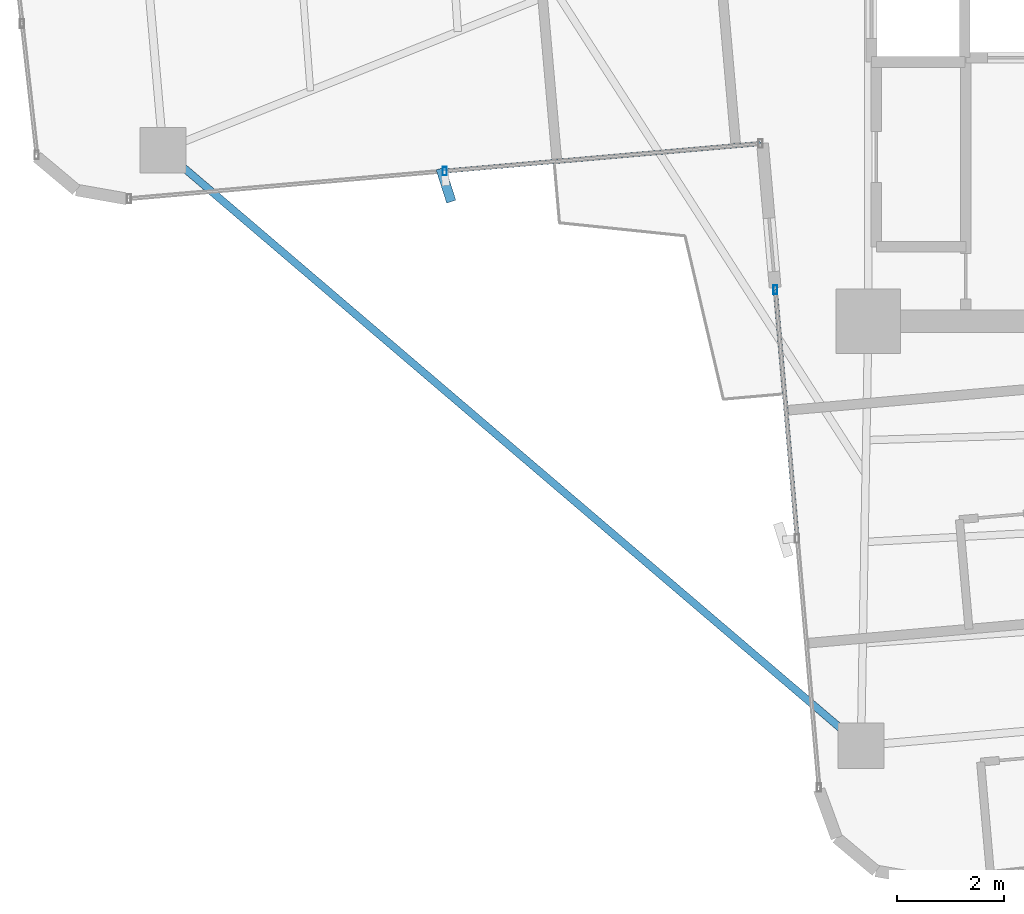
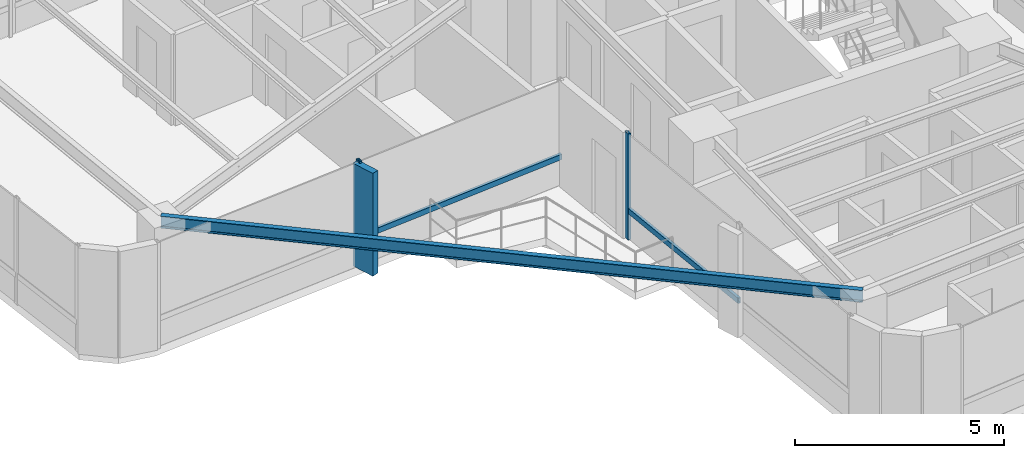
# One storey, part 4 of 24: 5 members, 1 beam, 2 elements without a shape of their own.
"""IFC4 building model written with IfcOpenShell, lengths in metres."""

from ifc_helpers import new_model, si_unit, direction, frame, origin, origin_2d, place, context, subcontext, project, spatial, rectangle, hollow_rectangle, i_section, extrude, source, transform, mapped, material, material_profile, profile_set, type_object, element, aggregate, save


model = new_model("IFC4")

# Units and contexts
model_context = context("Model", 3, precision=1e-05, world=origin(), true_north=direction((0.0, 1.0)))
body_context = subcontext(model_context, "Body", "Model", "MODEL_VIEW")
ifc_project = project(units=[si_unit("LENGTHUNIT", "METRE"), si_unit("AREAUNIT", "SQUARE_METRE"), si_unit("VOLUMEUNIT", "CUBIC_METRE"), si_unit("PLANEANGLEUNIT", "RADIAN"), si_unit("MASSUNIT", "GRAM", prefix="KILO")], contexts=[model_context])

# Site, building, storey
site_placement = place(None, origin())
site = spatial("IfcSite", under=ifc_project, at=site_placement, CompositionType="ELEMENT")
building_placement = place(site_placement, origin())
building = spatial("IfcBuilding", under=site, at=building_placement, Name="Sahyath Konkavel Grand Hotel", CompositionType="ELEMENT")
storey_placement = place(building_placement, frame((0.0, 0.0, 157.300048828125)))
storey = spatial("IfcBuildingStorey", under=building, at=storey_placement, Name="L43", CompositionType="ELEMENT", Elevation=157.300048828125)

# Beam
ifc_material_1 = material(Name="Steel E350", Category="steel")
ifc_material_profile_1 = material_profile(ifc_material_1, i_section(OverallWidth=0.139892578125, OverallDepth=0.35009765625, WebThickness=0.008056640625, FlangeThickness=0.01416015625, FilletRadius=0.013916015625, at=origin_2d()), Name="ISMB 350")
ifc_profile_set_1 = profile_set([ifc_material_profile_1], Name="Steel E350")
beam_type = type_object("IfcBeamType", Name="BM-ISMB350", PredefinedType="BEAM", material=ifc_profile_set_1)
shared_shape_1 = source(origin(), body_context, "Body", "SweptSolid", [
    extrude(i_section(OverallWidth=0.139892578125, OverallDepth=0.35009765625, WebThickness=0.008056640625, FlangeThickness=0.01416015625, FilletRadius=0.013916015625, at=origin_2d()), origin(), (0.0, 0.0, 1.0), 17.11279296875),
])
beam_placement = place(storey_placement, frame((-16.9541015625, -7.00439453125, 2.93505859375), z_axis=(0.760711911164, -0.649089661151, 0.0), x_axis=(0.649089661151, 0.760711911164, 0.0)))
element("IfcBeam", 1, at=beam_placement, inside=storey, type_object=beam_type, Name="L43 Re-Entrant Tie Beam SW", PredefinedType="BEAM", context=body_context, shape_type="MappedRepresentation", body=[
    mapped(shared_shape_1, transform((0.0, 0.0, 0.0), scale=1.0)),
])

# Curtain wall, member
ifc_material_2 = material(Name="Anodised Bronze Aluminium & Low-E Glazing", Category="aluminium")
curtain_wall_type = type_object("IfcCurtainWallType", Name="CW-ZONE3", PredefinedType="NOTDEFINED", material=ifc_material_2)
curtain_wall_1_placement = place(storey_placement, origin())
curtain_wall_1 = element("IfcCurtainWall", 2, at=curtain_wall_1_placement, inside=storey, type_object=curtain_wall_type, Name="L43 Unitised Curtain Wall F23", PredefinedType="NOTDEFINED")
ifc_material_3 = material(Name="Anodised Bronze Aluminium", Category="aluminium")
ifc_material_profile_2 = material_profile(ifc_material_3, hollow_rectangle(XDim=0.080078125, YDim=0.159912109375, WallThickness=0.006103515625, at=origin_2d()), Name="RHS 160x80x6")
ifc_profile_set_2 = profile_set([ifc_material_profile_2], Name="Anodised Bronze Aluminium")
member_type_1 = type_object("IfcMemberType", Name="CW-MUL-160", PredefinedType="MULLION", material=ifc_profile_set_2)
shared_shape_2 = source(origin(), body_context, "Body", "SweptSolid", [
    extrude(hollow_rectangle(XDim=0.080078125, YDim=0.159912109375, WallThickness=0.006103515625, at=origin_2d()), origin(), (0.0, 0.0, 1.0), 3.10986328125),
])
member_1_placement = place(storey_placement, frame((-11.69970703125, -7.39794921875, 0.0), z_axis=(0.0, 0.0, 1.0), x_axis=(1.0, 0.0, 0.0)))
member_1 = element("IfcMember", 3, at=member_1_placement, type_object=member_type_1, Name="L43 Curtain Wall Mullion F23-1", PredefinedType="MULLION", context=body_context, shape_type="MappedRepresentation", body=[
    mapped(shared_shape_2, transform((0.0, 0.0, 0.0), scale=1.0)),
])

curtain_wall_2_placement = place(storey_placement, origin())
curtain_wall_2 = element("IfcCurtainWall", 4, at=curtain_wall_2_placement, inside=storey, type_object=curtain_wall_type, Name="L43 Unitised Curtain Wall F24", PredefinedType="NOTDEFINED")
member_2_placement = place(storey_placement, frame((-5.53369140625, -9.60888671875, 0.0), z_axis=(0.0, 0.0, 1.0), x_axis=(1.0, 0.0, 0.0)))
member_2 = element("IfcMember", 5, at=member_2_placement, type_object=member_type_1, Name="L43 Curtain Wall Mullion F24-0", PredefinedType="MULLION", context=body_context, shape_type="MappedRepresentation", body=[
    mapped(shared_shape_2, transform((0.0, 0.0, 0.0), scale=1.0)),
])

# Member
ifc_material_4 = material(Name="Warm Buff Sandstone Cladding on Concrete C50/60", Category="masonry")
ifc_material_profile_3 = material_profile(ifc_material_4, rectangle(XDim=0.179931640625, YDim=0.64990234375, at=origin_2d()), Name="FIN 180x650")
ifc_profile_set_3 = profile_set([ifc_material_profile_3], Name="Warm Buff Sandstone Cladding on Concrete C50/60")
member_type_2 = type_object("IfcMemberType", Name="FIN-SANDSTONE-650", PredefinedType="MULLION", material=ifc_profile_set_3)
shared_shape_3 = source(origin(), body_context, "Body", "SweptSolid", [
    extrude(rectangle(XDim=0.179931640625, YDim=0.64990234375, at=origin_2d()), origin(), (0.0, 0.0, 1.0), 3.010009765625),
])
member_3_placement = place(storey_placement, frame((-11.677001953125, -7.656982421875, 0.050048828125), z_axis=(0.0, 0.0, 1.0), x_axis=(0.952767550771, 0.303700500819, 0.0)))
member_3 = element("IfcMember", 6, at=member_3_placement, type_object=member_type_2, Name="L43 Sandstone Vertical Solar Fin FIN F23-1", PredefinedType="MULLION", context=body_context, shape_type="MappedRepresentation", body=[
    mapped(shared_shape_3, transform((0.0, 0.0, 0.0), scale=1.0)),
])

ifc_material_profile_4 = material_profile(ifc_material_3, hollow_rectangle(XDim=0.080078125, YDim=0.159912109375, WallThickness=0.006103515625, at=origin_2d()), Name="RHS 160x80x6")
ifc_profile_set_4 = profile_set([ifc_material_profile_4], Name="Anodised Bronze Aluminium")
member_type_3 = type_object("IfcMemberType", Name="CW-TRN-160", PredefinedType="USERDEFINED", material=ifc_profile_set_4)
shared_shape_4 = source(origin(), body_context, "Body", "SweptSolid", [
    extrude(hollow_rectangle(XDim=0.080078125, YDim=0.159912109375, WallThickness=0.006103515625, at=origin_2d()), origin(), (0.0, 0.0, 1.0), 5.909912109375),
])
member_4_placement = place(storey_placement, frame((-11.69970703125, -7.39794921875, 0.849853515625), z_axis=(0.996193941691, 0.087164388014, 0.0), x_axis=(-0.087164388014, 0.996193941691, 0.0)))
member_4 = element("IfcMember", 7, at=member_4_placement, type_object=member_type_3, Name="L43 Curtain Wall Transom F23-1-spandrel", ObjectType="TRANSOM", PredefinedType="USERDEFINED", context=body_context, shape_type="MappedRepresentation", body=[
    mapped(shared_shape_4, transform((0.0, 0.0, 0.0), scale=1.0)),
])

aggregate(curtain_wall_1, [member_1, member_3, member_4])

shared_shape_5 = source(origin(), body_context, "Body", "SweptSolid", [
    extrude(hollow_rectangle(XDim=0.080078125, YDim=0.159912109375, WallThickness=0.006103515625, at=origin_2d()), origin(), (0.0, 0.0, 1.0), 4.66015625),
])
member_5_placement = place(storey_placement, frame((-5.53369140625, -9.60888671875, 0.849853515625), z_axis=(0.087176698736, -0.996192864458, 0.0), x_axis=(0.996192864458, 0.087176698736, 0.0)))
member_5 = element("IfcMember", 8, at=member_5_placement, type_object=member_type_3, Name="L43 Curtain Wall Transom F24-0-spandrel", ObjectType="TRANSOM", PredefinedType="USERDEFINED", context=body_context, shape_type="MappedRepresentation", body=[
    mapped(shared_shape_5, transform((0.0, 0.0, 0.0), scale=1.0)),
])

aggregate(curtain_wall_2, [member_2, member_5])

save(model, "model.ifc")
